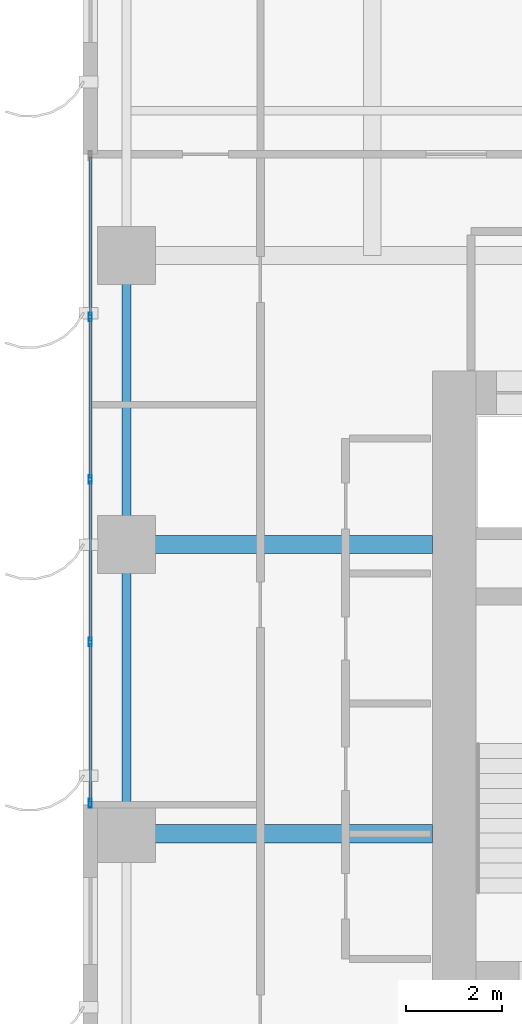
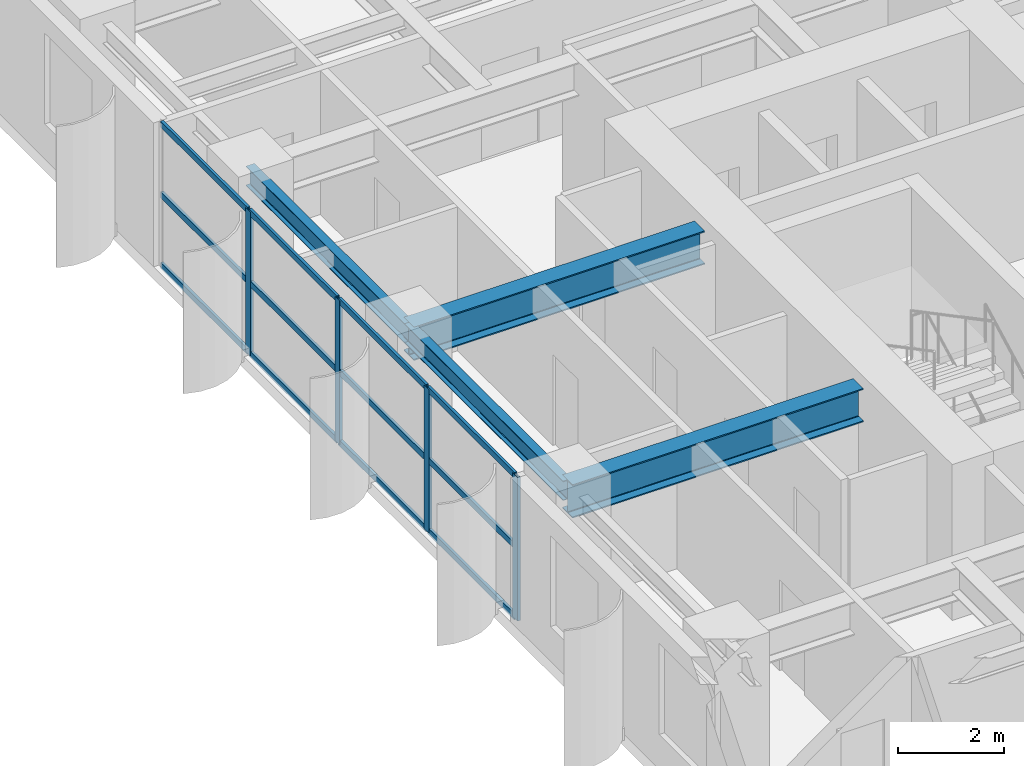
# One storey, part 2 of 16: 16 members, 4 beams, 1 element without a shape of its own.
"""IFC4 building model written with IfcOpenShell, lengths in metres."""

from ifc_helpers import new_model, si_unit, direction, frame, origin, origin_2d, place, context, subcontext, project, spatial, hollow_rectangle, i_section, extrude, source, transform, mapped, material, layer, layer_set, material_profile, profile_set, type_object, element, aggregate, save


model = new_model("IFC4")

# Units and contexts
model_context = context("Model", 3, precision=1e-05, world=origin(), true_north=direction((0.0, 1.0)))
body_context = subcontext(model_context, "Body", "Model", "MODEL_VIEW")
ifc_project = project(units=[si_unit("LENGTHUNIT", "METRE"), si_unit("AREAUNIT", "SQUARE_METRE"), si_unit("VOLUMEUNIT", "CUBIC_METRE"), si_unit("PLANEANGLEUNIT", "RADIAN"), si_unit("MASSUNIT", "GRAM", prefix="KILO")], contexts=[model_context])

# Site, building, storey
site_placement = place(None, origin())
site = spatial("IfcSite", under=ifc_project, at=site_placement, CompositionType="ELEMENT")
building_placement = place(site_placement, origin())
building = spatial("IfcBuilding", under=site, at=building_placement, Name="Khoralis Quay Care Tower", CompositionType="ELEMENT")
storey_placement = place(building_placement, frame((0.0, 0.0, 29.699951171875)))
storey = spatial("IfcBuildingStorey", under=building, at=storey_placement, Name="L07", CompositionType="ELEMENT", Elevation=29.699951171875)

# Beams
ifc_material_1 = material(Name="Steel S355", Category="steel")
ifc_material_profile_1 = material_profile(ifc_material_1, i_section(OverallWidth=0.18994140625, OverallDepth=0.449951171875, WebThickness=0.009521484375, FlangeThickness=0.0146484375, FilletRadius=0.02099609375, at=origin_2d()), Name="Steel S355")
ifc_profile_set_1 = profile_set([ifc_material_profile_1], Name="Steel S355")
beam_type_1 = type_object("IfcBeamType", Name="BM-IPE450", PredefinedType="SPANDREL", material=ifc_profile_set_1)
shared_shape_1 = source(origin(), body_context, "Body", "SweptSolid", [
    extrude(i_section(OverallWidth=0.18994140625, OverallDepth=0.449951171875, WebThickness=0.009521484375, FlangeThickness=0.0146484375, FilletRadius=0.02099609375, at=origin_2d()), origin(), (0.0, 0.0, 1.0), 6.0),
])
for number, where, z_axis, x_axis, name in (
    (1, (0.89990234375, 18.0, 3.094970703125), (0.0, 1.0, 0.0), (-1.0, 0.0, 0.0), "BM-TSP-L07-15"),
    (2, (0.89990234375, 24.0, 3.094970703125), (0.0, 1.0, 0.0), (-1.0, 0.0, 0.0), "BM-TSP-L07-16"),
):
    element("IfcBeam", number, at=place(storey_placement, frame(where, z_axis=z_axis, x_axis=x_axis)), inside=storey, type_object=beam_type_1, Name=name, PredefinedType="SPANDREL", context=body_context, shape_type="MappedRepresentation", body=[
        mapped(shared_shape_1, transform((0.0, 0.0, 0.0), scale=1.0)),
    ])
ifc_material_profile_2 = material_profile(ifc_material_1, i_section(OverallWidth=0.381103515625, OverallDepth=0.77294921875, WebThickness=0.0166015625, FlangeThickness=0.027587890625, FilletRadius=0.02197265625, at=origin_2d()), Name="Steel S355")
ifc_profile_set_2 = profile_set([ifc_material_profile_2], Name="Steel S355")
beam_type_2 = type_object("IfcBeamType", Name="BM-W760X257", PredefinedType="BEAM", material=ifc_profile_set_2)
shared_shape_2 = source(origin(), body_context, "Body", "SweptSolid", [
    extrude(i_section(OverallWidth=0.381103515625, OverallDepth=0.77294921875, WebThickness=0.0166015625, FlangeThickness=0.027587890625, FilletRadius=0.02197265625, at=origin_2d()), origin(), (0.0, 0.0, 1.0), 6.35205078125),
])
for number, where, z_axis, x_axis, name in (
    (3, (0.89990234375, 18.0, 2.93359375), (1.0, 0.0, 0.0), (0.0, 1.0, 0.0), "BM-TGXW-L07-180"),
    (4, (0.89990234375, 24.0, 2.93359375), (1.0, 0.0, 0.0), (0.0, 1.0, 0.0), "BM-TGXW-L07-240"),
):
    element("IfcBeam", number, at=place(storey_placement, frame(where, z_axis=z_axis, x_axis=x_axis)), inside=storey, type_object=beam_type_2, Name=name, PredefinedType="BEAM", context=body_context, shape_type="MappedRepresentation", body=[
        mapped(shared_shape_2, transform((0.0, 0.0, 0.0), scale=1.0)),
    ])

# Curtain wall, members
ifc_material_2 = material(Name="Pale anodised aluminium", Category="aluminium")
ifc_layer = layer(ifc_material_2, 0.179931640625)
ifc_layer_set = layer_set([ifc_layer], Name="Pale anodised aluminium")
curtain_wall_type = type_object("IfcCurtainWallType", Name="CW-SYS-Z1", PredefinedType="NOTDEFINED", material=ifc_layer_set)
curtain_wall_placement = place(storey_placement, origin())
curtain_wall = element("IfcCurtainWall", 5, at=curtain_wall_placement, inside=storey, type_object=curtain_wall_type, Name="L07 Unitised Curtain Wall CW-L07-P1-E15", PredefinedType="NOTDEFINED")
ifc_material_profile_3 = material_profile(ifc_material_2, hollow_rectangle(XDim=0.06494140625, YDim=0.179931640625, WallThickness=0.00390625, at=origin_2d()), Name="Pale anodised aluminium")
ifc_profile_set_3 = profile_set([ifc_material_profile_3], Name="Pale anodised aluminium")
member_type_1 = type_object("IfcMemberType", Name="CW-MUL-180", PredefinedType="MULLION", material=ifc_profile_set_3)
shared_shape_3 = source(origin(), body_context, "Body", "SweptSolid", [
    extrude(hollow_rectangle(XDim=0.06494140625, YDim=0.179931640625, WallThickness=0.00390625, at=origin_2d()), origin(), (0.0, 0.0, 1.0), 3.320068359375),
])
member_1_placement = place(storey_placement, frame((0.14990234375, 28.72509765625, 0.0), z_axis=(0.0, 0.0, 1.0), x_axis=(1.0, 0.0, 0.0)))
member_1 = element("IfcMember", 6, at=member_1_placement, type_object=member_type_1, Name="CW1 mullion 2", PredefinedType="MULLION", context=body_context, shape_type="MappedRepresentation", body=[
    mapped(shared_shape_3, transform((0.0, 0.0, 0.0), scale=1.0)),
])
member_2_placement = place(storey_placement, frame((0.14990234375, 25.35009765625, 0.0), z_axis=(0.0, 0.0, 1.0), x_axis=(1.0, 0.0, 0.0)))
member_2 = element("IfcMember", 7, at=member_2_placement, type_object=member_type_1, Name="CW1 mullion 3", PredefinedType="MULLION", context=body_context, shape_type="MappedRepresentation", body=[
    mapped(shared_shape_3, transform((0.0, 0.0, 0.0), scale=1.0)),
])
member_3_placement = place(storey_placement, frame((0.14990234375, 21.97509765625, 0.0), z_axis=(0.0, 0.0, 1.0), x_axis=(1.0, 0.0, 0.0)))
member_3 = element("IfcMember", 8, at=member_3_placement, type_object=member_type_1, Name="CW1 mullion 4", PredefinedType="MULLION", context=body_context, shape_type="MappedRepresentation", body=[
    mapped(shared_shape_3, transform((0.0, 0.0, 0.0), scale=1.0)),
])
member_4_placement = place(storey_placement, frame((0.14990234375, 18.6298828125, 0.0), z_axis=(0.0, 0.0, 1.0), x_axis=(1.0, 0.0, 0.0)))
member_4 = element("IfcMember", 9, at=member_4_placement, type_object=member_type_1, Name="CW1 mullion 5", PredefinedType="MULLION", context=body_context, shape_type="MappedRepresentation", body=[
    mapped(shared_shape_3, transform((0.0, 0.0, 0.0), scale=1.0)),
])
ifc_material_profile_4 = material_profile(ifc_material_2, hollow_rectangle(XDim=0.06005859375, YDim=0.139892578125, WallThickness=0.00390625, at=origin_2d()), Name="Pale anodised aluminium")
ifc_profile_set_4 = profile_set([ifc_material_profile_4], Name="Pale anodised aluminium")
member_type_2 = type_object("IfcMemberType", Name="CW-TRN-140", PredefinedType="USERDEFINED", material=ifc_profile_set_4)
shared_shape_4 = source(origin(), body_context, "Body", "SweptSolid", [
    extrude(hollow_rectangle(XDim=0.06005859375, YDim=0.139892578125, WallThickness=0.00390625, at=origin_2d()), origin(), (0.0, 0.0, 1.0), 3.28515625),
])
member_5_placement = place(storey_placement, frame((0.14990234375, 32.0400390625, 0.030029296875), z_axis=(0.0, -1.0, 0.0), x_axis=(1.0, 0.0, 0.0)))
member_5 = element("IfcMember", 10, at=member_5_placement, type_object=member_type_2, Name="CW1 transom 1.1", ObjectType="TRANSOM", PredefinedType="USERDEFINED", context=body_context, shape_type="MappedRepresentation", body=[
    mapped(shared_shape_4, transform((0.0, 0.0, 0.0), scale=1.0)),
])
member_6_placement = place(storey_placement, frame((0.14990234375, 32.0400390625, 1.66015625), z_axis=(0.0, -1.0, 0.0), x_axis=(1.0, 0.0, 0.0)))
member_6 = element("IfcMember", 11, at=member_6_placement, type_object=member_type_2, Name="CW1 transom 1.2", ObjectType="TRANSOM", PredefinedType="USERDEFINED", context=body_context, shape_type="MappedRepresentation", body=[
    mapped(shared_shape_4, transform((0.0, 0.0, 0.0), scale=1.0)),
])
member_7_placement = place(storey_placement, frame((0.14990234375, 32.0400390625, 3.2900390625), z_axis=(0.0, -1.0, 0.0), x_axis=(1.0, 0.0, 0.0)))
member_7 = element("IfcMember", 12, at=member_7_placement, type_object=member_type_2, Name="CW1 transom 1.3", ObjectType="TRANSOM", PredefinedType="USERDEFINED", context=body_context, shape_type="MappedRepresentation", body=[
    mapped(shared_shape_4, transform((0.0, 0.0, 0.0), scale=1.0)),
])
member_8_placement = place(storey_placement, frame((0.14990234375, 21.945068359375, 0.030029296875), z_axis=(0.0, -1.0, 0.0), x_axis=(1.0, 0.0, 0.0)))
member_8 = element("IfcMember", 13, at=member_8_placement, type_object=member_type_2, Name="CW1 transom 4.1", ObjectType="TRANSOM", PredefinedType="USERDEFINED", context=body_context, shape_type="MappedRepresentation", body=[
    mapped(shared_shape_4, transform((0.0, 0.0, 0.0), scale=1.0)),
])
member_9_placement = place(storey_placement, frame((0.14990234375, 21.945068359375, 1.66015625), z_axis=(0.0, -1.0, 0.0), x_axis=(1.0, 0.0, 0.0)))
member_9 = element("IfcMember", 14, at=member_9_placement, type_object=member_type_2, Name="CW1 transom 4.2", ObjectType="TRANSOM", PredefinedType="USERDEFINED", context=body_context, shape_type="MappedRepresentation", body=[
    mapped(shared_shape_4, transform((0.0, 0.0, 0.0), scale=1.0)),
])
member_10_placement = place(storey_placement, frame((0.14990234375, 21.945068359375, 3.2900390625), z_axis=(0.0, -1.0, 0.0), x_axis=(1.0, 0.0, 0.0)))
member_10 = element("IfcMember", 15, at=member_10_placement, type_object=member_type_2, Name="CW1 transom 4.3", ObjectType="TRANSOM", PredefinedType="USERDEFINED", context=body_context, shape_type="MappedRepresentation", body=[
    mapped(shared_shape_4, transform((0.0, 0.0, 0.0), scale=1.0)),
])
shared_shape_5 = source(origin(), body_context, "Body", "SweptSolid", [
    extrude(hollow_rectangle(XDim=0.06005859375, YDim=0.139892578125, WallThickness=0.00390625, at=origin_2d()), origin(), (0.0, 0.0, 1.0), 3.315185546875),
])
member_11_placement = place(storey_placement, frame((0.14990234375, 28.695068359375, 0.030029296875), z_axis=(0.0, -1.0, 0.0), x_axis=(1.0, 0.0, 0.0)))
member_11 = element("IfcMember", 16, at=member_11_placement, type_object=member_type_2, Name="CW1 transom 2.1", ObjectType="TRANSOM", PredefinedType="USERDEFINED", context=body_context, shape_type="MappedRepresentation", body=[
    mapped(shared_shape_5, transform((0.0, 0.0, 0.0), scale=1.0)),
])
member_12_placement = place(storey_placement, frame((0.14990234375, 28.695068359375, 1.66015625), z_axis=(0.0, -1.0, 0.0), x_axis=(1.0, 0.0, 0.0)))
member_12 = element("IfcMember", 17, at=member_12_placement, type_object=member_type_2, Name="CW1 transom 2.2", ObjectType="TRANSOM", PredefinedType="USERDEFINED", context=body_context, shape_type="MappedRepresentation", body=[
    mapped(shared_shape_5, transform((0.0, 0.0, 0.0), scale=1.0)),
])
member_13_placement = place(storey_placement, frame((0.14990234375, 28.695068359375, 3.2900390625), z_axis=(0.0, -1.0, 0.0), x_axis=(1.0, 0.0, 0.0)))
member_13 = element("IfcMember", 18, at=member_13_placement, type_object=member_type_2, Name="CW1 transom 2.3", ObjectType="TRANSOM", PredefinedType="USERDEFINED", context=body_context, shape_type="MappedRepresentation", body=[
    mapped(shared_shape_5, transform((0.0, 0.0, 0.0), scale=1.0)),
])
member_14_placement = place(storey_placement, frame((0.14990234375, 25.320068359375, 0.030029296875), z_axis=(0.0, -1.0, 0.0), x_axis=(1.0, 0.0, 0.0)))
member_14 = element("IfcMember", 19, at=member_14_placement, type_object=member_type_2, Name="CW1 transom 3.1", ObjectType="TRANSOM", PredefinedType="USERDEFINED", context=body_context, shape_type="MappedRepresentation", body=[
    mapped(shared_shape_5, transform((0.0, 0.0, 0.0), scale=1.0)),
])
member_15_placement = place(storey_placement, frame((0.14990234375, 25.320068359375, 1.66015625), z_axis=(0.0, -1.0, 0.0), x_axis=(1.0, 0.0, 0.0)))
member_15 = element("IfcMember", 20, at=member_15_placement, type_object=member_type_2, Name="CW1 transom 3.2", ObjectType="TRANSOM", PredefinedType="USERDEFINED", context=body_context, shape_type="MappedRepresentation", body=[
    mapped(shared_shape_5, transform((0.0, 0.0, 0.0), scale=1.0)),
])
member_16_placement = place(storey_placement, frame((0.14990234375, 25.320068359375, 3.2900390625), z_axis=(0.0, -1.0, 0.0), x_axis=(1.0, 0.0, 0.0)))
member_16 = element("IfcMember", 21, at=member_16_placement, type_object=member_type_2, Name="CW1 transom 3.3", ObjectType="TRANSOM", PredefinedType="USERDEFINED", context=body_context, shape_type="MappedRepresentation", body=[
    mapped(shared_shape_5, transform((0.0, 0.0, 0.0), scale=1.0)),
])
aggregate(curtain_wall, [member_1, member_2, member_3, member_4, member_5, member_6, member_7, member_11, member_12, member_13, member_14, member_15, member_16, member_8, member_9, member_10])

save(model, "model.ifc")
